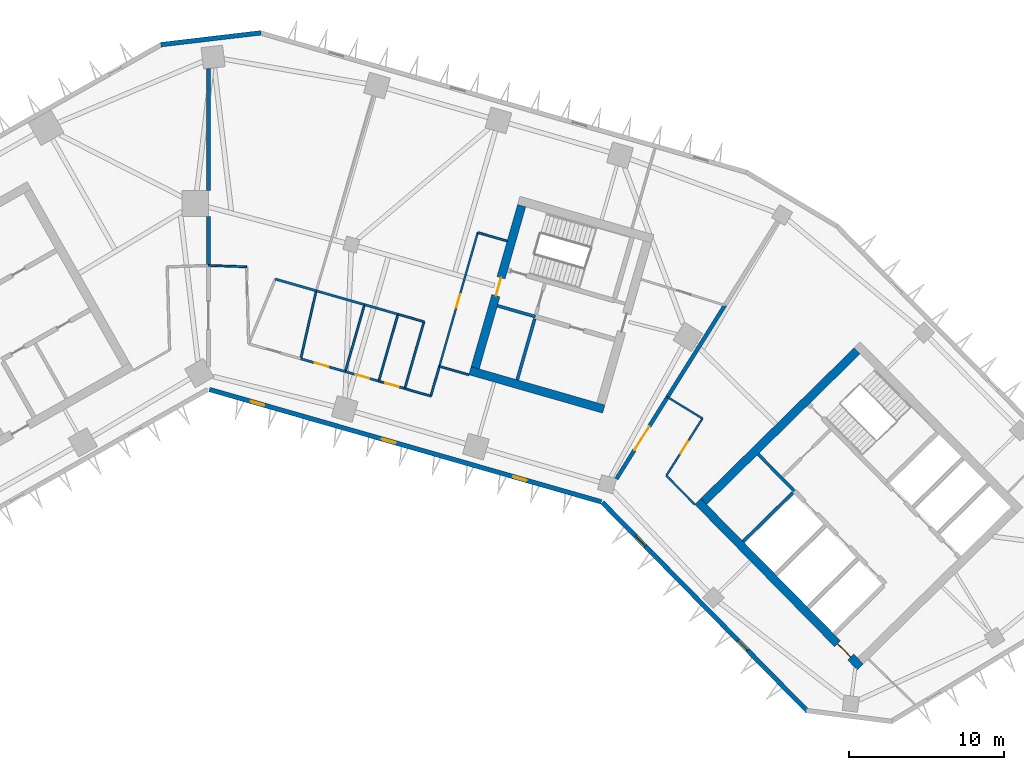
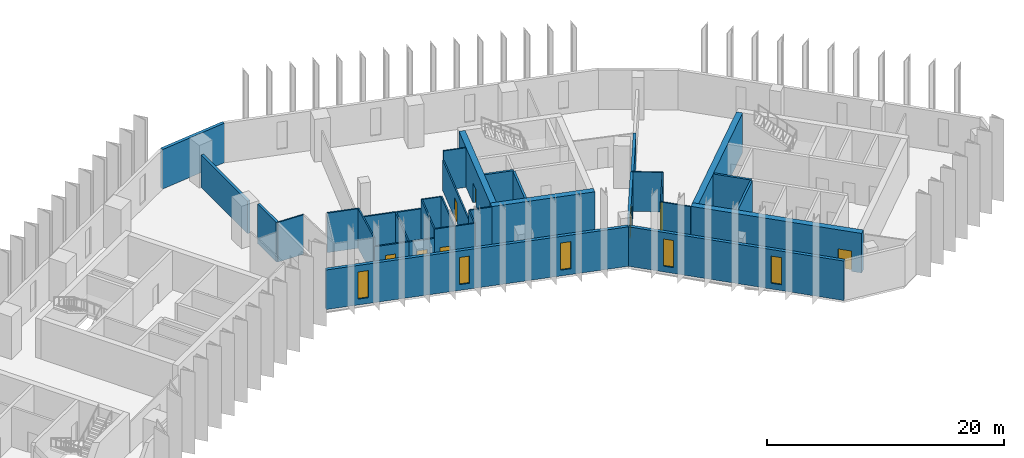
# One storey, part 5 of 11: 35 walls, 8 doors, 5 windows, 13 openings.
"""IFC4 building model written with IfcOpenShell, lengths in metres."""

from ifc_helpers import new_model, si_unit, direction, frame, frame_2d, origin, place, context, subcontext, project, spatial, rectangle, extrude, material, layer, layer_set, type_object, element, fill, save


model = new_model("IFC4")

# Units and contexts
model_context = context("Model", 3, precision=1e-05, world=origin(), true_north=direction((0.0, 1.0)))
body_context = subcontext(model_context, "Body", "Model", "MODEL_VIEW")
ifc_project = project(units=[si_unit("LENGTHUNIT", "METRE"), si_unit("AREAUNIT", "SQUARE_METRE"), si_unit("VOLUMEUNIT", "CUBIC_METRE"), si_unit("PLANEANGLEUNIT", "RADIAN"), si_unit("MASSUNIT", "GRAM", prefix="KILO")], contexts=[model_context])

# Site, building, storey
site_placement = place(None, origin())
site = spatial("IfcSite", under=ifc_project, at=site_placement, CompositionType="ELEMENT")
building_placement = place(site_placement, origin())
building = spatial("IfcBuilding", under=site, at=building_placement, Name="Binnacle Exchange Tower", CompositionType="ELEMENT")
storey_placement = place(building_placement, frame((0.0, 0.0, 114.699951171875)))
storey = spatial("IfcBuildingStorey", under=building, at=storey_placement, Name="L23", CompositionType="ELEMENT", Elevation=114.699951171875)

# Wall, opening, door
ifc_material_1 = material(Name="Concrete C70/85", Category="concrete")
ifc_layer_1 = layer(ifc_material_1, 0.550048828125)
ifc_layer_set_1 = layer_set([ifc_layer_1], Name="Core wall - outer 550")
wall_type_1 = type_object("IfcWallType", Name="Core wall - outer 550", PredefinedType="SOLIDWALL", material=ifc_layer_set_1)
wall_1_placement = place(storey_placement, frame((31.627685546875, 40.7451171875, 0.0), z_axis=(0.0, 0.0, 1.0), x_axis=(0.700911255944, -0.713248491965, 0.0)))
wall_1 = element("IfcWall", 1, at=wall_1_placement, inside=storey, type_object=wall_type_1, Name="Core wall CRWB1", PredefinedType="SOLIDWALL", context=body_context, shape_type="SweptSolid", body=[
    extrude(rectangle(XDim=15.0, YDim=0.550048828125, at=frame_2d((7.5, 0.0))), origin(), (0.0, 0.0, 1.0), 4.080078125),
])
opening_1_placement = place(wall_1_placement, frame((12.89990234375, 0.0, 0.0)))
opening_1 = element("IfcOpeningElement", 2, at=opening_1_placement, cuts=wall_1, Name="Opening DB7", PredefinedType="OPENING", context=body_context, shape_type="SweptSolid", body=[
    extrude(rectangle(XDim=1.199951171875, YDim=2.10009765625, at=frame_2d((0.60009765625, 1.050048828125))), frame((0.0, 0.284912109375, 0.0), z_axis=(0.0, -1.0, 0.0), x_axis=(1.0, 0.0, 0.0)), (0.0, 0.0, 1.0), 0.570068359375),
])
ifc_material_2 = material(Name="Steel door leaf", Category="steel")
door_type_1 = type_object("IfcDoorType", Name="Fire door 1200", OperationType="NOTDEFINED", PredefinedType="DOOR", material=ifc_material_2)
door_1_placement = place(opening_1_placement, frame((1.199951171875, 0.0, 0.0), z_axis=(0.0, 0.0, 1.0), x_axis=(-1.0, 0.0, 0.0)))
door_1 = element("IfcDoor", 3, at=door_1_placement, inside=storey, type_object=door_type_1, Name="Lift lobby entrance door core B", OperationType="SINGLE_SWING_LEFT", OverallHeight=2.10009765625, OverallWidth=1.199951171875, PredefinedType="DOOR", context=body_context, shape_type="SweptSolid", body=[
    extrude(rectangle(XDim=1.199951171875, YDim=2.10009765625, at=frame_2d((0.60009765625, 1.050048828125))), frame((0.0, 0.02490234375, 0.0), z_axis=(0.0, -1.0, 0.0), x_axis=(1.0, 0.0, 0.0)), (0.0, 0.0, 1.0), 0.050048828125),
])
fill(opening_1, door_1)

# Walls
wall_2_placement = place(storey_placement, frame((32.0166015625, 40.74169921875, 0.0), z_axis=(0.0, 0.0, 1.0), x_axis=(0.713253550094, 0.700906108746, 0.0)))
element("IfcWall", 4, at=wall_2_placement, inside=storey, type_object=wall_type_1, Name="Core wall CRWB7", PredefinedType="SOLIDWALL", context=body_context, shape_type="SweptSolid", body=[
    extrude(rectangle(XDim=13.900146484375, YDim=0.550048828125, at=frame_2d((6.9501953125, 0.0))), origin(), (0.0, 0.0, 1.0), 4.080078125),
])
wall_3_placement = place(storey_placement, frame((16.90380859375, 49.197265625, 0.0), z_axis=(0.0, 0.0, 1.0), x_axis=(0.96126248289, -0.275634611374, 0.0)))
element("IfcWall", 5, at=wall_3_placement, inside=storey, type_object=wall_type_1, Name="Core wall CRWD1", PredefinedType="SOLIDWALL", context=body_context, shape_type="SweptSolid", body=[
    extrude(rectangle(XDim=9.0, YDim=0.550048828125, at=frame_2d((4.5, 0.0))), origin(), (0.0, 0.0, 1.0), 4.080078125),
])

# Wall, opening, door
wall_4_placement = place(storey_placement, frame((17.243896484375, 49.3857421875, 0.0), z_axis=(0.0, 0.0, 1.0), x_axis=(0.275632146085, 0.96126318979, 0.0)))
wall_4 = element("IfcWall", 6, at=wall_4_placement, inside=storey, type_object=wall_type_1, Name="Core wall CRWD7", PredefinedType="SOLIDWALL", context=body_context, shape_type="SweptSolid", body=[
    extrude(rectangle(XDim=10.89990234375, YDim=0.550048828125, at=frame_2d((5.449951171875, 0.0))), origin(), (0.0, 0.0, 1.0), 4.080078125),
])
opening_2_placement = place(wall_4_placement, frame((4.85009765625, 0.0, 0.0)))
opening_2 = element("IfcOpeningElement", 7, at=opening_2_placement, cuts=wall_4, Name="Opening DD5", PredefinedType="OPENING", context=body_context, shape_type="SweptSolid", body=[
    extrude(rectangle(XDim=1.199951171875, YDim=2.10009765625, at=frame_2d((0.60009765625, 1.050048828125))), frame((0.0, 0.284912109375, 0.0), z_axis=(0.0, -1.0, 0.0), x_axis=(1.0, 0.0, 0.0)), (0.0, 0.0, 1.0), 0.570068359375),
])
door_2_placement = place(opening_2_placement, origin())
door_2 = element("IfcDoor", 8, at=door_2_placement, inside=storey, type_object=door_type_1, Name="Vestibule exit door VEST-W", OperationType="SINGLE_SWING_RIGHT", OverallHeight=2.10009765625, OverallWidth=1.199951171875, PredefinedType="DOOR", context=body_context, shape_type="SweptSolid", body=[
    extrude(rectangle(XDim=1.199951171875, YDim=2.10009765625, at=frame_2d((0.60009765625, 1.050048828125))), frame((0.0, 0.02490234375, 0.0), z_axis=(0.0, -1.0, 0.0), x_axis=(1.0, 0.0, 0.0)), (0.0, 0.0, 1.0), 0.050048828125),
])
fill(opening_2, door_2)

# Wall
ifc_material_3 = material(Name="Bronze aluminium cladding", Category="aluminium")
ifc_layer_2 = layer(ifc_material_3, 0.300048828125)
ifc_layer_set_2 = layer_set([ifc_layer_2], Name="External wall - spandrel 300")
wall_type_2 = type_object("IfcWallType", Name="External wall - spandrel 300", PredefinedType="STANDARD", material=ifc_layer_set_2)
wall_5_placement = place(storey_placement, frame((-3.076171875, 70.27294921875, 0.0), z_axis=(0.0, 0.0, 1.0), x_axis=(0.993067743007, 0.117543429416, 0.0)))
element("IfcWall", 9, at=wall_5_placement, inside=storey, type_object=wall_type_2, Name="External wall EW-F02 L23", PredefinedType="STANDARD", context=body_context, shape_type="SweptSolid", body=[
    extrude(rectangle(XDim=6.515625, YDim=0.300048828125, at=frame_2d((3.2578125, 0.0))), origin(), (0.0, 0.0, 1.0), 4.080078125),
])

# Wall, openings, windows
wall_6_placement = place(storey_placement, frame((25.398193359375, 40.71728515625, 0.0), z_axis=(0.0, 0.0, 1.0), x_axis=(-0.961262423262, 0.275634819324, 0.0)))
wall_6 = element("IfcWall", 10, at=wall_6_placement, inside=storey, type_object=wall_type_2, Name="External wall EW-F08 L23", PredefinedType="STANDARD", context=body_context, shape_type="SweptSolid", body=[
    extrude(rectangle(XDim=26.358642578125, YDim=0.300048828125, at=frame_2d((13.17919921875, 0.0))), origin(), (0.0, 0.0, 1.0), 4.080078125),
])
opening_3_placement = place(wall_6_placement, frame((22.6640625, 0.0, 0.60009765625)))
opening_3 = element("IfcOpeningElement", 11, at=opening_3_placement, cuts=wall_6, Name="Opening WS2", PredefinedType="OPENING", context=body_context, shape_type="SweptSolid", body=[
    extrude(rectangle(XDim=0.89990234375, YDim=2.800048828125, at=frame_2d((0.449951171875, 1.39990234375))), frame((0.0, 0.159912109375, 0.0), z_axis=(0.0, -1.0, 0.0), x_axis=(1.0, 0.0, 0.0)), (0.0, 0.0, 1.0), 0.320068359375),
])
opening_4_placement = place(wall_6_placement, frame((13.843505859375, 0.0, 0.60009765625)))
opening_4 = element("IfcOpeningElement", 12, at=opening_4_placement, cuts=wall_6, Name="Opening WS2", PredefinedType="OPENING", context=body_context, shape_type="SweptSolid", body=[
    extrude(rectangle(XDim=0.89990234375, YDim=2.800048828125, at=frame_2d((0.449951171875, 1.39990234375))), frame((0.0, 0.159912109375, 0.0), z_axis=(0.0, -1.0, 0.0), x_axis=(1.0, 0.0, 0.0)), (0.0, 0.0, 1.0), 0.320068359375),
])
opening_5_placement = place(wall_6_placement, frame((5.023193359375, 0.0, 0.60009765625)))
opening_5 = element("IfcOpeningElement", 13, at=opening_5_placement, cuts=wall_6, Name="Opening WS2", PredefinedType="OPENING", context=body_context, shape_type="SweptSolid", body=[
    extrude(rectangle(XDim=0.89990234375, YDim=2.800048828125, at=frame_2d((0.449951171875, 1.39990234375))), frame((0.0, 0.159912109375, 0.0), z_axis=(0.0, -1.0, 0.0), x_axis=(1.0, 0.0, 0.0)), (0.0, 0.0, 1.0), 0.320068359375),
])
ifc_material_4 = material(Name="Bronze anodised aluminium frame", Category="aluminium")
window_type = type_object("IfcWindowType", Name="WS2 WINDOW 900x2800", PartitioningType="SINGLE_PANEL", PredefinedType="WINDOW", material=ifc_material_4)
window_1_placement = place(opening_3_placement, origin())
window_1 = element("IfcWindow", 14, at=window_1_placement, inside=storey, type_object=window_type, Name="Window WS2 L23", OverallHeight=2.800048828125, OverallWidth=0.89990234375, PartitioningType="SINGLE_PANEL", PredefinedType="WINDOW", context=body_context, shape_type="SweptSolid", body=[
    extrude(rectangle(XDim=0.89990234375, YDim=2.800048828125, at=frame_2d((0.449951171875, 1.39990234375))), frame((0.0, 0.030029296875, 0.0), z_axis=(0.0, -1.0, 0.0), x_axis=(1.0, 0.0, 0.0)), (0.0, 0.0, 1.0), 0.06005859375),
])
fill(opening_3, window_1)
window_2_placement = place(opening_4_placement, origin())
window_2 = element("IfcWindow", 15, at=window_2_placement, inside=storey, type_object=window_type, Name="Window WS2 L23", OverallHeight=2.800048828125, OverallWidth=0.89990234375, PartitioningType="SINGLE_PANEL", PredefinedType="WINDOW", context=body_context, shape_type="SweptSolid", body=[
    extrude(rectangle(XDim=0.89990234375, YDim=2.800048828125, at=frame_2d((0.449951171875, 1.39990234375))), frame((0.0, 0.030029296875, 0.0), z_axis=(0.0, -1.0, 0.0), x_axis=(1.0, 0.0, 0.0)), (0.0, 0.0, 1.0), 0.06005859375),
])
fill(opening_4, window_2)
window_3_placement = place(opening_5_placement, origin())
window_3 = element("IfcWindow", 16, at=window_3_placement, inside=storey, type_object=window_type, Name="Window WS2 L23", OverallHeight=2.800048828125, OverallWidth=0.89990234375, PartitioningType="SINGLE_PANEL", PredefinedType="WINDOW", context=body_context, shape_type="SweptSolid", body=[
    extrude(rectangle(XDim=0.89990234375, YDim=2.800048828125, at=frame_2d((0.449951171875, 1.39990234375))), frame((0.0, 0.030029296875, 0.0), z_axis=(0.0, -1.0, 0.0), x_axis=(1.0, 0.0, 0.0)), (0.0, 0.0, 1.0), 0.06005859375),
])
fill(opening_5, window_3)

wall_7_placement = place(storey_placement, frame((38.727294921875, 27.18115234375, 0.0), z_axis=(0.0, 0.0, 1.0), x_axis=(-0.700906405975, 0.713253258011, 0.0)))
wall_7 = element("IfcWall", 17, at=wall_7_placement, inside=storey, type_object=wall_type_2, Name="External wall EW-F09 L23", PredefinedType="STANDARD", context=body_context, shape_type="SweptSolid", body=[
    extrude(rectangle(XDim=18.92333984375, YDim=0.300048828125, at=frame_2d((9.461669921875, 0.0))), origin(), (0.0, 0.0, 1.0), 4.080078125),
])
opening_6_placement = place(wall_7_placement, frame((14.967041015625, 0.0, 0.60009765625)))
opening_6 = element("IfcOpeningElement", 18, at=opening_6_placement, cuts=wall_7, Name="Opening WS2", PredefinedType="OPENING", context=body_context, shape_type="SweptSolid", body=[
    extrude(rectangle(XDim=0.89990234375, YDim=2.800048828125, at=frame_2d((0.449951171875, 1.39990234375))), frame((0.0, 0.159912109375, 0.0), z_axis=(0.0, -1.0, 0.0), x_axis=(1.0, 0.0, 0.0)), (0.0, 0.0, 1.0), 0.320068359375),
])
opening_7_placement = place(wall_7_placement, frame((5.51171875, 0.0, 0.60009765625)))
opening_7 = element("IfcOpeningElement", 19, at=opening_7_placement, cuts=wall_7, Name="Opening WS2", PredefinedType="OPENING", context=body_context, shape_type="SweptSolid", body=[
    extrude(rectangle(XDim=0.89990234375, YDim=2.800048828125, at=frame_2d((0.449951171875, 1.39990234375))), frame((0.0, 0.159912109375, 0.0), z_axis=(0.0, -1.0, 0.0), x_axis=(1.0, 0.0, 0.0)), (0.0, 0.0, 1.0), 0.320068359375),
])
window_4_placement = place(opening_6_placement, origin())
window_4 = element("IfcWindow", 20, at=window_4_placement, inside=storey, type_object=window_type, Name="Window WS2 L23", OverallHeight=2.800048828125, OverallWidth=0.89990234375, PartitioningType="SINGLE_PANEL", PredefinedType="WINDOW", context=body_context, shape_type="SweptSolid", body=[
    extrude(rectangle(XDim=0.89990234375, YDim=2.800048828125, at=frame_2d((0.449951171875, 1.39990234375))), frame((0.0, 0.030029296875, 0.0), z_axis=(0.0, -1.0, 0.0), x_axis=(1.0, 0.0, 0.0)), (0.0, 0.0, 1.0), 0.06005859375),
])
fill(opening_6, window_4)
window_5_placement = place(opening_7_placement, origin())
window_5 = element("IfcWindow", 21, at=window_5_placement, inside=storey, type_object=window_type, Name="Window WS2 L23", OverallHeight=2.800048828125, OverallWidth=0.89990234375, PartitioningType="SINGLE_PANEL", PredefinedType="WINDOW", context=body_context, shape_type="SweptSolid", body=[
    extrude(rectangle(XDim=0.89990234375, YDim=2.800048828125, at=frame_2d((0.449951171875, 1.39990234375))), frame((0.0, 0.030029296875, 0.0), z_axis=(0.0, -1.0, 0.0), x_axis=(1.0, 0.0, 0.0)), (0.0, 0.0, 1.0), 0.06005859375),
])
fill(opening_7, window_5)

# Walls
ifc_material_5 = material(Name="Concrete fire wall C30/37", Category="concrete")
ifc_layer_3 = layer(ifc_material_5, 0.25)
ifc_layer_set_3 = layer_set([ifc_layer_3], Name="Fire wall - compartment 250")
wall_type_3 = type_object("IfcWallType", Name="Fire wall - compartment 250", PredefinedType="PARTITIONING", material=ifc_layer_set_3)
wall_8_placement = place(storey_placement, frame((0.0, 56.0, 0.0), z_axis=(0.0, 0.0, 1.0), x_axis=(0.0, 1.0, 0.0)))
element("IfcWall", 22, at=wall_8_placement, inside=storey, type_object=wall_type_3, Name="Fire Wall W09", PredefinedType="PARTITIONING", context=body_context, shape_type="SweptSolid", body=[
    extrude(rectangle(XDim=3.14990234375, YDim=0.25, at=frame_2d((1.574951171875, 0.0))), origin(), (0.0, 0.0, 1.0), 4.080078125),
])
wall_9_placement = place(storey_placement, frame((0.0, 60.85009765625, 0.0), z_axis=(0.0, 0.0, 1.0), x_axis=(0.0, 1.0, 0.0)))
element("IfcWall", 23, at=wall_9_placement, inside=storey, type_object=wall_type_3, Name="Fire Wall W11", PredefinedType="PARTITIONING", context=body_context, shape_type="SweptSolid", body=[
    extrude(rectangle(XDim=7.8740234375, YDim=0.25, at=frame_2d((3.93701171875, 0.0))), origin(), (0.0, 0.0, 1.0), 3.35205078125),
])

# Wall, opening, door
wall_10_placement = place(storey_placement, frame((26.373046875, 42.2060546875, 0.0), z_axis=(0.0, 0.0, 1.0), x_axis=(0.52987567935, 0.848075329457, 0.0)))
wall_10 = element("IfcWall", 24, at=wall_10_placement, inside=storey, type_object=wall_type_3, Name="Fire Wall W32", PredefinedType="PARTITIONING", context=body_context, shape_type="SweptSolid", body=[
    extrude(rectangle(XDim=6.231689453125, YDim=0.25, at=frame_2d((3.11572265625, 0.0))), origin(), (0.0, 0.0, 1.0), 4.080078125),
])
opening_8_placement = place(wall_10_placement, frame((2.199951171875, 0.0, 0.0)))
opening_8 = element("IfcOpeningElement", 25, at=opening_8_placement, cuts=wall_10, Name="Opening DL22-13", PredefinedType="OPENING", context=body_context, shape_type="SweptSolid", body=[
    extrude(rectangle(XDim=1.800048828125, YDim=2.10009765625, at=frame_2d((0.89990234375, 1.050048828125))), frame((0.0, 0.135009765625, 0.0), z_axis=(0.0, -1.0, 0.0), x_axis=(1.0, 0.0, 0.0)), (0.0, 0.0, 1.0), 0.27001953125),
])
door_type_2 = type_object("IfcDoorType", Name="Fire door 1800", OperationType="NOTDEFINED", PredefinedType="DOOR", material=ifc_material_2)
door_3_placement = place(opening_8_placement, origin())
door_3 = element("IfcDoor", 26, at=door_3_placement, inside=storey, type_object=door_type_2, Name="Door DL22-13", OperationType="DOUBLE_DOOR_SINGLE_SWING", OverallHeight=2.10009765625, OverallWidth=1.800048828125, PredefinedType="DOOR", context=body_context, shape_type="SweptSolid", body=[
    extrude(rectangle(XDim=1.800048828125, YDim=2.10009765625, at=frame_2d((0.89990234375, 1.050048828125))), frame((0.0, 0.02490234375, 0.0), z_axis=(0.0, -1.0, 0.0), x_axis=(1.0, 0.0, 0.0)), (0.0, 0.0, 1.0), 0.050048828125),
])
fill(opening_8, door_3)

# Walls
wall_11_placement = place(storey_placement, frame((29.675048828125, 47.490966796875, 0.0), z_axis=(0.0, 0.0, 1.0), x_axis=(0.529992669945, 0.848002222759, 0.0)))
element("IfcWall", 27, at=wall_11_placement, inside=storey, type_object=wall_type_3, Name="Fire Wall W38", PredefinedType="PARTITIONING", context=body_context, shape_type="SweptSolid", body=[
    extrude(rectangle(XDim=7.0, YDim=0.25, at=frame_2d((3.5, 0.0))), origin(), (0.0, 0.0, 1.0), 3.14208984375),
])
ifc_material_6 = material(Name="Gypsum partition fire rated")
ifc_layer_4 = layer(ifc_material_6, 0.14990234375)
ifc_layer_set_4 = layer_set([ifc_layer_4], Name="Fire-rated partition 150")
wall_type_4 = type_object("IfcWallType", Name="Fire-rated partition 150", PredefinedType="PARTITIONING", material=ifc_layer_set_4)
wall_12_placement = place(storey_placement, frame((4.322021484375, 55.1201171875, 0.0), z_axis=(0.0, 0.0, 1.0), x_axis=(0.961272337704, -0.275600240865, 0.0)))
element("IfcWall", 28, at=wall_12_placement, inside=storey, type_object=wall_type_4, Name="Partition W15", PredefinedType="PARTITIONING", context=body_context, shape_type="SweptSolid", body=[
    extrude(rectangle(XDim=2.75048828125, YDim=0.14990234375, at=frame_2d((1.375244140625, 0.0))), origin(), (0.0, 0.0, 1.0), 4.080078125),
])

# Wall, opening, door
wall_13_placement = place(storey_placement, frame((5.966064453125, 49.967041015625, 0.0), z_axis=(0.0, 0.0, 1.0), x_axis=(0.961222353496, -0.275774522283, 0.0)))
wall_13 = element("IfcWall", 29, at=wall_13_placement, inside=storey, type_object=wall_type_4, Name="Partition W17", PredefinedType="PARTITIONING", context=body_context, shape_type="SweptSolid", body=[
    extrude(rectangle(XDim=2.999267578125, YDim=0.14990234375, at=frame_2d((1.49951171875, 0.0))), origin(), (0.0, 0.0, 1.0), 3.16015625),
])
opening_9_placement = place(wall_13_placement, frame((0.949951171875, 0.0, 0.0)))
opening_9 = element("IfcOpeningElement", 30, at=opening_9_placement, cuts=wall_13, Name="Opening DL22-04", PredefinedType="OPENING", context=body_context, shape_type="SweptSolid", body=[
    extrude(rectangle(XDim=0.89990234375, YDim=2.10009765625, at=frame_2d((0.449951171875, 1.050048828125))), frame((0.0, 0.0849609375, 0.0), z_axis=(0.0, -1.0, 0.0), x_axis=(1.0, 0.0, 0.0)), (0.0, 0.0, 1.0), 0.169921875),
])
door_type_3 = type_object("IfcDoorType", Name="Fire door 900", OperationType="NOTDEFINED", PredefinedType="DOOR", material=ifc_material_2)
door_4_placement = place(opening_9_placement, origin())
door_4 = element("IfcDoor", 31, at=door_4_placement, inside=storey, type_object=door_type_3, Name="Door DL22-04", OperationType="SINGLE_SWING_LEFT", OverallHeight=2.10009765625, OverallWidth=0.89990234375, PredefinedType="DOOR", context=body_context, shape_type="SweptSolid", body=[
    extrude(rectangle(XDim=0.89990234375, YDim=2.10009765625, at=frame_2d((0.449951171875, 1.050048828125))), frame((0.0, 0.02490234375, 0.0), z_axis=(0.0, -1.0, 0.0), x_axis=(1.0, 0.0, 0.0)), (0.0, 0.0, 1.0), 0.050048828125),
])
fill(opening_9, door_4)

# Wall
wall_14_placement = place(storey_placement, frame((6.966064453125, 54.362060546875, 0.0), z_axis=(0.0, 0.0, 1.0), x_axis=(0.961245650832, -0.275693305607, 0.0)))
element("IfcWall", 32, at=wall_14_placement, inside=storey, type_object=wall_type_4, Name="Partition W18", PredefinedType="PARTITIONING", context=body_context, shape_type="SweptSolid", body=[
    extrude(rectangle(XDim=3.25, YDim=0.14990234375, at=frame_2d((1.625, 0.0))), origin(), (0.0, 0.0, 1.0), 3.16015625),
])

# Wall, opening, door
wall_15_placement = place(storey_placement, frame((8.84912109375, 49.139892578125, 0.0), z_axis=(0.0, 0.0, 1.0), x_axis=(0.961298413165, -0.275509275429, 0.0)))
wall_15 = element("IfcWall", 33, at=wall_15_placement, inside=storey, type_object=wall_type_4, Name="Partition W21", PredefinedType="PARTITIONING", context=body_context, shape_type="SweptSolid", body=[
    extrude(rectangle(XDim=2.25, YDim=0.14990234375, at=frame_2d((1.125, 0.0))), origin(), (0.0, 0.0, 1.0), 3.14208984375),
])
opening_10_placement = place(wall_15_placement, frame((0.699951171875, 0.0, 0.0)))
opening_10 = element("IfcOpeningElement", 34, at=opening_10_placement, cuts=wall_15, Name="Opening DL22-05", PredefinedType="OPENING", context=body_context, shape_type="SweptSolid", body=[
    extrude(rectangle(XDim=0.89990234375, YDim=2.10009765625, at=frame_2d((0.449951171875, 1.050048828125))), frame((0.0, 0.0849609375, 0.0), z_axis=(0.0, -1.0, 0.0), x_axis=(1.0, 0.0, 0.0)), (0.0, 0.0, 1.0), 0.169921875),
])
door_5_placement = place(opening_10_placement, origin())
door_5 = element("IfcDoor", 35, at=door_5_placement, inside=storey, type_object=door_type_3, Name="Door DL22-05", OperationType="SINGLE_SWING_RIGHT", OverallHeight=2.10009765625, OverallWidth=0.89990234375, PredefinedType="DOOR", context=body_context, shape_type="SweptSolid", body=[
    extrude(rectangle(XDim=0.89990234375, YDim=2.10009765625, at=frame_2d((0.449951171875, 1.050048828125))), frame((0.0, 0.02490234375, 0.0), z_axis=(0.0, -1.0, 0.0), x_axis=(1.0, 0.0, 0.0)), (0.0, 0.0, 1.0), 0.050048828125),
])
fill(opening_10, door_5)

# Walls
wall_16_placement = place(storey_placement, frame((10.090087890625, 53.466064453125, 0.0), z_axis=(0.0, 0.0, 1.0), x_axis=(0.961269670038, -0.275609545309, 0.0)))
element("IfcWall", 36, at=wall_16_placement, inside=storey, type_object=wall_type_4, Name="Partition W22", PredefinedType="PARTITIONING", context=body_context, shape_type="SweptSolid", body=[
    extrude(rectangle(XDim=2.25, YDim=0.14990234375, at=frame_2d((1.125, 0.0))), origin(), (0.0, 0.0, 1.0), 3.14208984375),
])
ifc_material_7 = material(Name="Gypsum partition")
ifc_layer_5 = layer(ifc_material_7, 0.125)
ifc_layer_set_5 = layer_set([ifc_layer_5], Name="Partition 125")
wall_type_5 = type_object("IfcWallType", Name="Partition 125", PredefinedType="PARTITIONING", material=ifc_layer_set_5)
wall_17_placement = place(storey_placement, frame((0.0, 56.0, 0.0), z_axis=(0.0, 0.0, 1.0), x_axis=(0.999349313684, -0.036068673934, 0.0)))
element("IfcWall", 37, at=wall_17_placement, inside=storey, type_object=wall_type_5, Name="Partition W10", PredefinedType="PARTITIONING", context=body_context, shape_type="SweptSolid", body=[
    extrude(rectangle(XDim=2.470703125, YDim=0.125, at=frame_2d((1.2353515625, 0.0))), origin(), (0.0, 0.0, 1.0), 4.080078125),
])
wall_18_placement = place(storey_placement, frame((5.966064453125, 49.967041015625, 0.0), z_axis=(0.0, 0.0, 1.0), x_axis=(0.221859891223, 0.975078555126, 0.0)))
element("IfcWall", 38, at=wall_18_placement, inside=storey, type_object=wall_type_5, Name="Partition W16", PredefinedType="PARTITIONING", context=body_context, shape_type="SweptSolid", body=[
    extrude(rectangle(XDim=4.50732421875, YDim=0.125, at=frame_2d((2.253662109375, 0.0))), origin(), (0.0, 0.0, 1.0), 4.080078125),
])
wall_19_placement = place(storey_placement, frame((8.84912109375, 49.139892578125, 0.0), z_axis=(0.0, 0.0, 1.0), x_axis=(0.275731175537, 0.961234788612, 0.0)))
element("IfcWall", 39, at=wall_19_placement, inside=storey, type_object=wall_type_5, Name="Partition W20", PredefinedType="PARTITIONING", context=body_context, shape_type="SweptSolid", body=[
    extrude(rectangle(XDim=4.500732421875, YDim=0.125, at=frame_2d((2.25048828125, 0.0))), origin(), (0.0, 0.0, 1.0), 3.16015625),
])
wall_20_placement = place(storey_placement, frame((11.011962890625, 48.52001953125, 0.0), z_axis=(0.0, 0.0, 1.0), x_axis=(0.275745553681, 0.96123066411, 0.0)))
element("IfcWall", 40, at=wall_20_placement, inside=storey, type_object=wall_type_5, Name="Partition W23", PredefinedType="PARTITIONING", context=body_context, shape_type="SweptSolid", body=[
    extrude(rectangle(XDim=4.50048828125, YDim=0.125, at=frame_2d((2.250244140625, 0.0))), origin(), (0.0, 0.0, 1.0), 4.080078125),
])

# Wall, opening, door
wall_21_placement = place(storey_placement, frame((11.011962890625, 48.52001953125, 0.0), z_axis=(0.0, 0.0, 1.0), x_axis=(0.961323619822, -0.275421309946, 0.0)))
wall_21 = element("IfcWall", 41, at=wall_21_placement, inside=storey, type_object=wall_type_5, Name="Partition W24", PredefinedType="PARTITIONING", context=body_context, shape_type="SweptSolid", body=[
    extrude(rectangle(XDim=1.749755859375, YDim=0.125, at=frame_2d((0.875, 0.0))), origin(), (0.0, 0.0, 1.0), 4.080078125),
])
opening_11_placement = place(wall_21_placement, frame((0.449951171875, 0.0, 0.0)))
opening_11 = element("IfcOpeningElement", 42, at=opening_11_placement, cuts=wall_21, Name="Opening DL22-06", PredefinedType="OPENING", context=body_context, shape_type="SweptSolid", body=[
    extrude(rectangle(XDim=0.89990234375, YDim=2.10009765625, at=frame_2d((0.449951171875, 1.050048828125))), frame((0.0, 0.072509765625, 0.0), z_axis=(0.0, -1.0, 0.0), x_axis=(1.0, 0.0, 0.0)), (0.0, 0.0, 1.0), 0.14501953125),
])
ifc_material_8 = material(Name="Timber door leaf", Category="wood")
door_type_4 = type_object("IfcDoorType", Name="Door 900", OperationType="NOTDEFINED", PredefinedType="DOOR", material=ifc_material_8)
door_6_placement = place(opening_11_placement, origin())
door_6 = element("IfcDoor", 43, at=door_6_placement, inside=storey, type_object=door_type_4, Name="Door DL22-06", OperationType="SINGLE_SWING_RIGHT", OverallHeight=2.10009765625, OverallWidth=0.89990234375, PredefinedType="DOOR", context=body_context, shape_type="SweptSolid", body=[
    extrude(rectangle(XDim=0.89990234375, YDim=2.10009765625, at=frame_2d((0.449951171875, 1.050048828125))), frame((0.0, 0.02490234375, 0.0), z_axis=(0.0, -1.0, 0.0), x_axis=(1.0, 0.0, 0.0)), (0.0, 0.0, 1.0), 0.050048828125),
])
fill(opening_11, door_6)

# Walls
wall_22_placement = place(storey_placement, frame((12.2529296875, 52.845947265625, 0.0), z_axis=(0.0, 0.0, 1.0), x_axis=(0.961175737212, -0.275936953296, 0.0)))
element("IfcWall", 44, at=wall_22_placement, inside=storey, type_object=wall_type_5, Name="Partition W25", PredefinedType="PARTITIONING", context=body_context, shape_type="SweptSolid", body=[
    extrude(rectangle(XDim=1.75, YDim=0.125, at=frame_2d((0.875, 0.0))), origin(), (0.0, 0.0, 1.0), 4.080078125),
])
wall_23_placement = place(storey_placement, frame((12.694091796875, 48.0380859375, 0.0), z_axis=(0.0, 0.0, 1.0), x_axis=(0.275803080638, 0.96121415965, 0.0)))
element("IfcWall", 45, at=wall_23_placement, inside=storey, type_object=wall_type_5, Name="Partition W26", PredefinedType="PARTITIONING", context=body_context, shape_type="SweptSolid", body=[
    extrude(rectangle(XDim=4.49951171875, YDim=0.125, at=frame_2d((2.249755859375, 0.0))), origin(), (0.0, 0.0, 1.0), 4.080078125),
])
wall_24_placement = place(storey_placement, frame((12.694091796875, 48.0380859375, 0.0), z_axis=(0.0, 0.0, 1.0), x_axis=(0.961170605556, -0.275954827854, 0.0)))
element("IfcWall", 46, at=wall_24_placement, inside=storey, type_object=wall_type_5, Name="Partition W27", PredefinedType="PARTITIONING", context=body_context, shape_type="SweptSolid", body=[
    extrude(rectangle(XDim=1.750732421875, YDim=0.125, at=frame_2d((0.87548828125, 0.0))), origin(), (0.0, 0.0, 1.0), 4.080078125),
])
wall_25_placement = place(storey_placement, frame((14.376953125, 47.554931640625, 0.0), z_axis=(0.0, 0.0, 1.0), x_axis=(0.275446387355, 0.961316434736, 0.0)))
element("IfcWall", 47, at=wall_25_placement, inside=storey, type_object=wall_type_5, Name="Partition W28", PredefinedType="PARTITIONING", context=body_context, shape_type="SweptSolid", body=[
    extrude(rectangle(XDim=2.00048828125, YDim=0.125, at=frame_2d((1.000244140625, 0.0))), origin(), (0.0, 0.0, 1.0), 4.080078125),
])
wall_26_placement = place(storey_placement, frame((14.927978515625, 49.47802734375, 0.0), z_axis=(0.0, 0.0, 1.0), x_axis=(0.961243778232, -0.27569983462, 0.0)))
element("IfcWall", 48, at=wall_26_placement, inside=storey, type_object=wall_type_5, Name="Partition W29", PredefinedType="PARTITIONING", context=body_context, shape_type="SweptSolid", body=[
    extrude(rectangle(XDim=1.9765625, YDim=0.125, at=frame_2d((0.98828125, 0.0))), origin(), (0.0, 0.0, 1.0), 4.080078125),
])

# Wall, opening, door
wall_27_placement = place(storey_placement, frame((14.927978515625, 49.47802734375, 0.0), z_axis=(0.0, 0.0, 1.0), x_axis=(0.275674053528, 0.961251172281, 0.0)))
wall_27 = element("IfcWall", 49, at=wall_27_placement, inside=storey, type_object=wall_type_5, Name="Partition W30", PredefinedType="PARTITIONING", context=body_context, shape_type="SweptSolid", body=[
    extrude(rectangle(XDim=8.99951171875, YDim=0.125, at=frame_2d((4.499755859375, 0.0))), origin(), (0.0, 0.0, 1.0), 3.14208984375),
])
opening_12_placement = place(wall_27_placement, frame((3.949951171875, 0.0, 0.0)))
opening_12 = element("IfcOpeningElement", 50, at=opening_12_placement, cuts=wall_27, Name="Opening DL22-08", PredefinedType="OPENING", context=body_context, shape_type="SweptSolid", body=[
    extrude(rectangle(XDim=0.89990234375, YDim=2.10009765625, at=frame_2d((0.449951171875, 1.050048828125))), frame((0.0, 0.072509765625, 0.0), z_axis=(0.0, -1.0, 0.0), x_axis=(1.0, 0.0, 0.0)), (0.0, 0.0, 1.0), 0.14501953125),
])
door_7_placement = place(opening_12_placement, origin())
door_7 = element("IfcDoor", 51, at=door_7_placement, inside=storey, type_object=door_type_4, Name="Door DL22-08", OperationType="SINGLE_SWING_LEFT", OverallHeight=2.10009765625, OverallWidth=0.89990234375, PredefinedType="DOOR", context=body_context, shape_type="SweptSolid", body=[
    extrude(rectangle(XDim=0.89990234375, YDim=2.10009765625, at=frame_2d((0.449951171875, 1.050048828125))), frame((0.0, 0.02490234375, 0.0), z_axis=(0.0, -1.0, 0.0), x_axis=(1.0, 0.0, 0.0)), (0.0, 0.0, 1.0), 0.050048828125),
])
fill(opening_12, door_7)

# Walls
wall_28_placement = place(storey_placement, frame((17.408935546875, 58.12890625, 0.0), z_axis=(0.0, 0.0, 1.0), x_axis=(0.961253165474, -0.275667103345, 0.0)))
element("IfcWall", 52, at=wall_28_placement, inside=storey, type_object=wall_type_5, Name="Partition W31", PredefinedType="PARTITIONING", context=body_context, shape_type="SweptSolid", body=[
    extrude(rectangle(XDim=1.976806640625, YDim=0.125, at=frame_2d((0.98828125, 0.0))), origin(), (0.0, 0.0, 1.0), 4.080078125),
])
wall_29_placement = place(storey_placement, frame((29.60009765625, 42.416015625, 0.0), z_axis=(0.0, 0.0, 1.0), x_axis=(0.700914320664, -0.713245480244, 0.0)))
element("IfcWall", 53, at=wall_29_placement, inside=storey, type_object=wall_type_5, Name="Partition W35", PredefinedType="PARTITIONING", context=body_context, shape_type="SweptSolid", body=[
    extrude(rectangle(XDim=2.613525390625, YDim=0.125, at=frame_2d((1.306640625, 0.0))), origin(), (0.0, 0.0, 1.0), 4.080078125),
])

# Wall, opening, door
wall_30_placement = place(storey_placement, frame((29.60009765625, 42.416015625, 0.0), z_axis=(0.0, 0.0, 1.0), x_axis=(0.533582711531, 0.84574788794, 0.0)))
wall_30 = element("IfcWall", 54, at=wall_30_placement, inside=storey, type_object=wall_type_5, Name="Partition W36", PredefinedType="PARTITIONING", context=body_context, shape_type="SweptSolid", body=[
    extrude(rectangle(XDim=4.366455078125, YDim=0.125, at=frame_2d((2.18310546875, 0.0))), origin(), (0.0, 0.0, 1.0), 4.080078125),
])
opening_13_placement = place(wall_30_placement, frame((1.699951171875, 0.0, 0.0)))
opening_13 = element("IfcOpeningElement", 55, at=opening_13_placement, cuts=wall_30, Name="Opening DL22-10", PredefinedType="OPENING", context=body_context, shape_type="SweptSolid", body=[
    extrude(rectangle(XDim=0.89990234375, YDim=2.10009765625, at=frame_2d((0.449951171875, 1.050048828125))), frame((0.0, 0.072509765625, 0.0), z_axis=(0.0, -1.0, 0.0), x_axis=(1.0, 0.0, 0.0)), (0.0, 0.0, 1.0), 0.14501953125),
])
door_8_placement = place(opening_13_placement, frame((0.89990234375, 0.0, 0.0), z_axis=(0.0, 0.0, 1.0), x_axis=(-1.0, 0.0, 0.0)))
door_8 = element("IfcDoor", 56, at=door_8_placement, inside=storey, type_object=door_type_4, Name="Door DL22-10", OperationType="SINGLE_SWING_RIGHT", OverallHeight=2.10009765625, OverallWidth=0.89990234375, PredefinedType="DOOR", context=body_context, shape_type="SweptSolid", body=[
    extrude(rectangle(XDim=0.89990234375, YDim=2.10009765625, at=frame_2d((0.449951171875, 1.050048828125))), frame((0.0, 0.02490234375, 0.0), z_axis=(0.0, -1.0, 0.0), x_axis=(1.0, 0.0, 0.0)), (0.0, 0.0, 1.0), 0.050048828125),
])
fill(opening_13, door_8)

# Walls
wall_31_placement = place(storey_placement, frame((29.675048828125, 47.490966796875, 0.0), z_axis=(0.0, 0.0, 1.0), x_axis=(0.852591965232, -0.522577210392, 0.0)))
element("IfcWall", 57, at=wall_31_placement, inside=storey, type_object=wall_type_5, Name="Partition W37", PredefinedType="PARTITIONING", context=body_context, shape_type="SweptSolid", body=[
    extrude(rectangle(XDim=2.644775390625, YDim=0.125, at=frame_2d((1.322265625, 0.0))), origin(), (0.0, 0.0, 1.0), 4.080078125),
])
ifc_material_9 = material(Name="Masonry block wall", Category="masonry")
ifc_layer_6 = layer(ifc_material_9, 0.199951171875)
ifc_layer_set_6 = layer_set([ifc_layer_6], Name="Riser wall 200")
wall_type_6 = type_object("IfcWallType", Name="Riser wall 200", PredefinedType="SOLIDWALL", material=ifc_layer_set_6)
wall_32_placement = place(storey_placement, frame((35.526123046875, 43.804931640625, 0.0), z_axis=(0.0, 0.0, 1.0), x_axis=(0.700884863746, -0.713274426691, 0.0)))
element("IfcWall", 58, at=wall_32_placement, inside=storey, type_object=wall_type_6, Name="Core wall CRWB2", PredefinedType="SOLIDWALL", context=body_context, shape_type="SweptSolid", body=[
    extrude(rectangle(XDim=3.349853515625, YDim=0.199951171875, at=frame_2d((1.6748046875, 0.0))), origin(), (0.0, 0.0, 1.0), 4.080078125),
])
wall_33_placement = place(storey_placement, frame((34.5576171875, 38.15625, 0.0), z_axis=(0.0, 0.0, 1.0), x_axis=(0.713237924006, 0.700922009755, 0.0)))
element("IfcWall", 59, at=wall_33_placement, inside=storey, type_object=wall_type_6, Name="Core wall CRWB9", PredefinedType="SOLIDWALL", context=body_context, shape_type="SweptSolid", body=[
    extrude(rectangle(XDim=4.499755859375, YDim=0.199951171875, at=frame_2d((2.25, 0.0))), origin(), (0.0, 0.0, 1.0), 4.080078125),
])
wall_34_placement = place(storey_placement, frame((18.6796875, 53.3955078125, 0.0), z_axis=(0.0, 0.0, 1.0), x_axis=(0.961234387647, -0.275732573349, 0.0)))
element("IfcWall", 60, at=wall_34_placement, inside=storey, type_object=wall_type_6, Name="Core wall CRWD2", PredefinedType="SOLIDWALL", context=body_context, shape_type="SweptSolid", body=[
    extrude(rectangle(XDim=2.550048828125, YDim=0.199951171875, at=frame_2d((1.27490234375, 0.0))), origin(), (0.0, 0.0, 1.0), 4.080078125),
])
wall_35_placement = place(storey_placement, frame((19.95947265625, 48.607177734375, 0.0), z_axis=(0.0, 0.0, 1.0), x_axis=(0.275641165445, 0.961260603537, 0.0)))
element("IfcWall", 61, at=wall_35_placement, inside=storey, type_object=wall_type_6, Name="Core wall CRWD8", PredefinedType="SOLIDWALL", context=body_context, shape_type="SweptSolid", body=[
    extrude(rectangle(XDim=4.10009765625, YDim=0.199951171875, at=frame_2d((2.050048828125, 0.0))), origin(), (0.0, 0.0, 1.0), 4.080078125),
])

save(model, "model.ifc")
